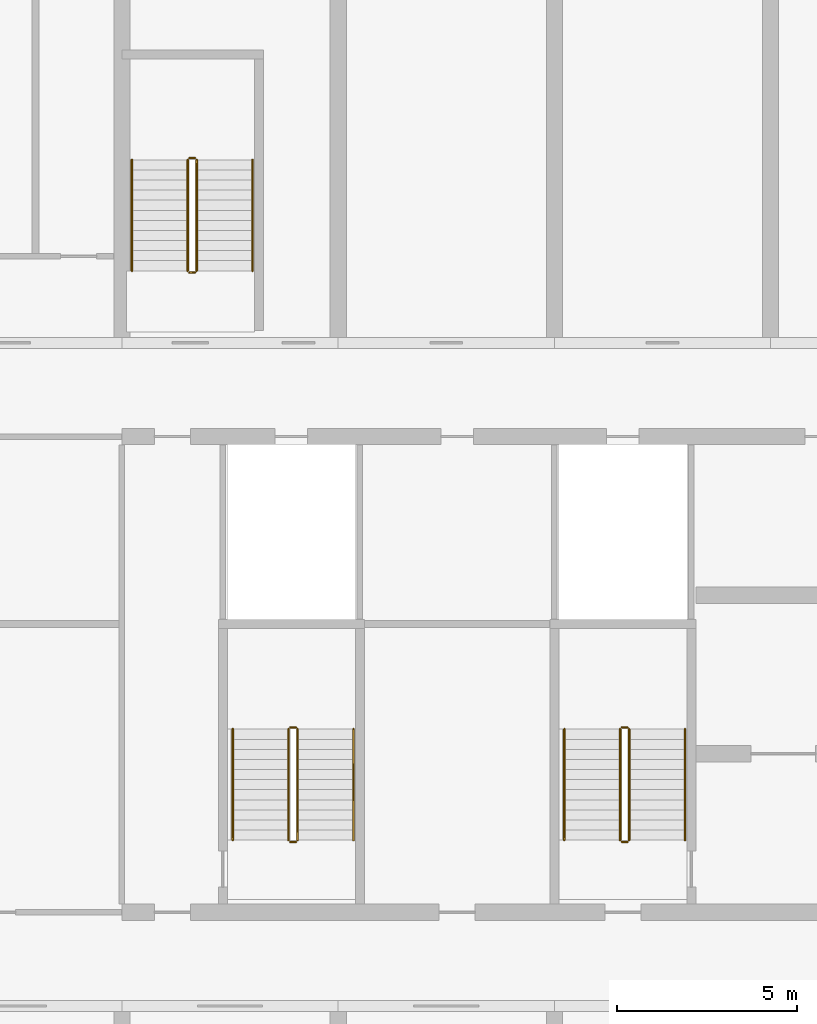
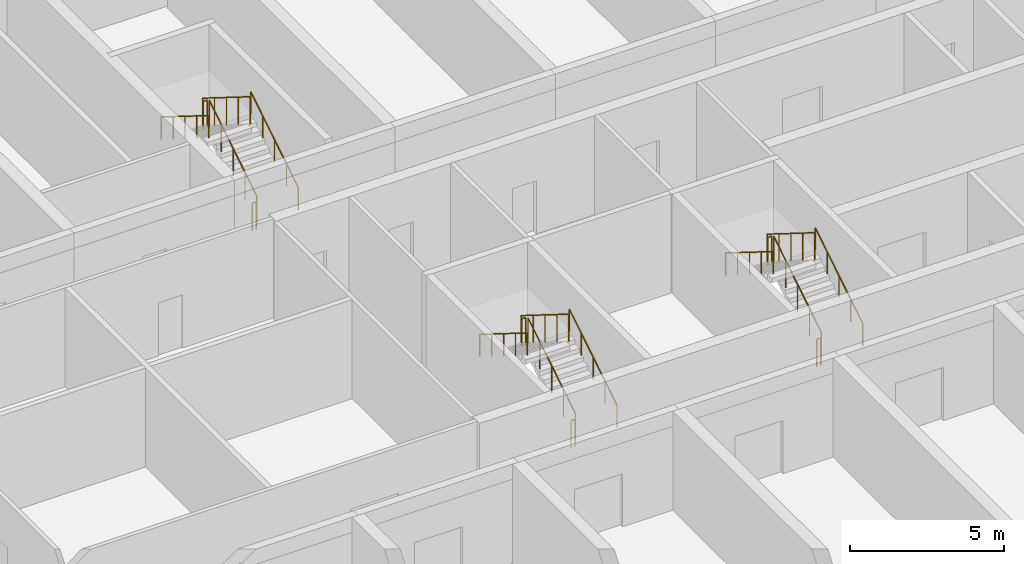
# One storey, part 13 of 15: 18 railings.
"""IFC4 building model written with IfcOpenShell, lengths in metres."""

from ifc_helpers import new_model, si_unit, direction, frame, origin, origin_2d, place, context, subcontext, project, spatial, circle, extrude, material, type_object, element, save


model = new_model("IFC4")

# Units and contexts
model_context = context("Model", 3, precision=1e-05, world=origin(), true_north=direction((0.0, 1.0)))
body_context = subcontext(model_context, "Body", "Model", "MODEL_VIEW")
ifc_project = project(units=[si_unit("LENGTHUNIT", "METRE"), si_unit("AREAUNIT", "SQUARE_METRE"), si_unit("VOLUMEUNIT", "CUBIC_METRE"), si_unit("PLANEANGLEUNIT", "RADIAN"), si_unit("MASSUNIT", "GRAM", prefix="KILO")], contexts=[model_context])

# Site, building, storey
site_placement = place(None, origin())
site = spatial("IfcSite", under=ifc_project, at=site_placement, CompositionType="ELEMENT")
building_placement = place(site_placement, origin())
building = spatial("IfcBuilding", under=site, at=building_placement, Name="Poui Terraces", CompositionType="ELEMENT")
storey_placement = place(building_placement, frame((0.0, 0.0, 10.800048828125)))
storey = spatial("IfcBuildingStorey", under=building, at=storey_placement, Name="L02", CompositionType="ELEMENT", Elevation=10.800048828125)

# Railings
ifc_material_1 = material(Name="Galvanised steel balustrade", Category="steel")
railing_type_1 = type_object("IfcRailingType", Name="STAIR GUARD 1100", PredefinedType="GUARDRAIL", material=ifc_material_1)
railing_1_placement = place(storey_placement, frame((32.074951171875, 16.60009765625, 0.175048828125)))
element("IfcRailing", 1, at=railing_1_placement, inside=storey, type_object=railing_type_1, Name="L02 ST-CW stair guard 1", PredefinedType="GUARDRAIL", context=body_context, shape_type="SweptSolid", body=[
    extrude(circle(Radius=0.02392578125, at=origin_2d()), frame((0.0, 0.0, 1.076171875), z_axis=(0.0, 0.848009633417, 0.529980812513), x_axis=(-1.0, 0.0, 0.0)), (0.0, 0.0, 1.0), 3.6318359375),
    extrude(circle(Radius=0.02099609375, at=origin_2d()), origin(), (0.0, 0.0, 1.0), 1.052001953125),
    extrude(circle(Radius=0.02099609375, at=origin_2d()), frame((0.0, 0.77001953125, 0.481201171875)), (0.0, 0.0, 1.0), 1.052001953125),
    extrude(circle(Radius=0.02099609375, at=origin_2d()), frame((0.0, 1.5400390625, 0.96240234375)), (0.0, 0.0, 1.0), 1.052001953125),
    extrude(circle(Radius=0.02099609375, at=origin_2d()), frame((0.0, 2.309814453125, 1.443603515625)), (0.0, 0.0, 1.0), 1.052001953125),
    extrude(circle(Radius=0.02099609375, at=origin_2d()), frame((0.0, 3.079833984375, 1.9248046875)), (0.0, 0.0, 1.0), 1.052001953125),
])
railing_2_placement = place(storey_placement, frame((32.02490234375, 19.72998046875, 2.099853515625)))
element("IfcRailing", 2, at=railing_2_placement, inside=storey, type_object=railing_type_1, Name="L02 ST-CW stair guard 2", PredefinedType="GUARDRAIL", context=body_context, shape_type="SweptSolid", body=[
    extrude(circle(Radius=0.02392578125, at=origin_2d()), frame((0.0, 0.0, 1.076171875), z_axis=(-1.0, 0.0, 0.0), x_axis=(0.0, -1.0, 0.0)), (0.0, 0.0, 1.0), 0.14990234375),
    extrude(circle(Radius=0.02099609375, at=origin_2d()), origin(), (0.0, 0.0, 1.0), 1.052001953125),
    extrude(circle(Radius=0.02099609375, at=origin_2d()), frame((-0.14990234375, 0.0, 0.0)), (0.0, 0.0, 1.0), 1.052001953125),
])
railing_3_placement = place(storey_placement, frame((31.824951171875, 19.679931640625, 2.27490234375)))
element("IfcRailing", 3, at=railing_3_placement, inside=storey, type_object=railing_type_1, Name="L02 ST-CW stair guard 3", PredefinedType="GUARDRAIL", context=body_context, shape_type="SweptSolid", body=[
    extrude(circle(Radius=0.02392578125, at=origin_2d()), frame((0.0, 0.0, 1.076171875), z_axis=(0.0, -0.847979421464, 0.530029150871), x_axis=(1.0, 0.0, 0.0)), (0.0, 0.0, 1.0), 3.632080078125),
    extrude(circle(Radius=0.02099609375, at=origin_2d()), origin(), (0.0, 0.0, 1.0), 1.052001953125),
    extrude(circle(Radius=0.02099609375, at=origin_2d()), frame((0.0, -0.77001953125, 0.481201171875)), (0.0, 0.0, 1.0), 1.052001953125),
    extrude(circle(Radius=0.02099609375, at=origin_2d()), frame((0.0, -1.5400390625, 0.96240234375)), (0.0, 0.0, 1.0), 1.052001953125),
    extrude(circle(Radius=0.02099609375, at=origin_2d()), frame((0.0, -2.309814453125, 1.44384765625)), (0.0, 0.0, 1.0), 1.052001953125),
    extrude(circle(Radius=0.02099609375, at=origin_2d()), frame((0.0, -3.079833984375, 1.925048828125)), (0.0, 0.0, 1.0), 1.052001953125),
])
railing_4_placement = place(storey_placement, frame((32.02490234375, 16.550048828125, 0.0)))
element("IfcRailing", 4, at=railing_4_placement, inside=storey, type_object=railing_type_1, Name="L02 ST-CW stair guard 4", PredefinedType="GUARDRAIL", context=body_context, shape_type="SweptSolid", body=[
    extrude(circle(Radius=0.02392578125, at=origin_2d()), frame((0.0, 0.0, 1.076171875), z_axis=(-1.0, 0.0, 0.0), x_axis=(0.0, -1.0, 0.0)), (0.0, 0.0, 1.0), 0.14990234375),
    extrude(circle(Radius=0.02099609375, at=origin_2d()), origin(), (0.0, 0.0, 1.0), 1.052001953125),
    extrude(circle(Radius=0.02099609375, at=origin_2d()), frame((-0.14990234375, 0.0, 0.0)), (0.0, 0.0, 1.0), 1.052001953125),
])
railing_5_placement = place(storey_placement, frame((22.875, 16.60009765625, 0.175048828125)))
element("IfcRailing", 5, at=railing_5_placement, inside=storey, type_object=railing_type_1, Name="L02 ST-W stair guard 1", PredefinedType="GUARDRAIL", context=body_context, shape_type="SweptSolid", body=[
    extrude(circle(Radius=0.02392578125, at=origin_2d()), frame((0.0, 0.0, 1.076171875), z_axis=(0.0, 0.848009633417, 0.529980812513), x_axis=(-1.0, 0.0, 0.0)), (0.0, 0.0, 1.0), 3.6318359375),
    extrude(circle(Radius=0.02099609375, at=origin_2d()), origin(), (0.0, 0.0, 1.0), 1.052001953125),
    extrude(circle(Radius=0.02099609375, at=origin_2d()), frame((0.0, 0.77001953125, 0.481201171875)), (0.0, 0.0, 1.0), 1.052001953125),
    extrude(circle(Radius=0.02099609375, at=origin_2d()), frame((0.0, 1.5400390625, 0.96240234375)), (0.0, 0.0, 1.0), 1.052001953125),
    extrude(circle(Radius=0.02099609375, at=origin_2d()), frame((0.0, 2.309814453125, 1.443603515625)), (0.0, 0.0, 1.0), 1.052001953125),
    extrude(circle(Radius=0.02099609375, at=origin_2d()), frame((0.0, 3.079833984375, 1.9248046875)), (0.0, 0.0, 1.0), 1.052001953125),
])
railing_6_placement = place(storey_placement, frame((22.824951171875, 19.72998046875, 2.099853515625)))
element("IfcRailing", 6, at=railing_6_placement, inside=storey, type_object=railing_type_1, Name="L02 ST-W stair guard 2", PredefinedType="GUARDRAIL", context=body_context, shape_type="SweptSolid", body=[
    extrude(circle(Radius=0.02392578125, at=origin_2d()), frame((0.0, 0.0, 1.076171875), z_axis=(-1.0, 0.0, 0.0), x_axis=(0.0, -1.0, 0.0)), (0.0, 0.0, 1.0), 0.14990234375),
    extrude(circle(Radius=0.02099609375, at=origin_2d()), origin(), (0.0, 0.0, 1.0), 1.052001953125),
    extrude(circle(Radius=0.02099609375, at=origin_2d()), frame((-0.14990234375, 0.0, 0.0)), (0.0, 0.0, 1.0), 1.052001953125),
])
railing_7_placement = place(storey_placement, frame((22.625, 19.679931640625, 2.27490234375)))
element("IfcRailing", 7, at=railing_7_placement, inside=storey, type_object=railing_type_1, Name="L02 ST-W stair guard 3", PredefinedType="GUARDRAIL", context=body_context, shape_type="SweptSolid", body=[
    extrude(circle(Radius=0.02392578125, at=origin_2d()), frame((0.0, 0.0, 1.076171875), z_axis=(0.0, -0.847979421464, 0.530029150871), x_axis=(1.0, 0.0, 0.0)), (0.0, 0.0, 1.0), 3.632080078125),
    extrude(circle(Radius=0.02099609375, at=origin_2d()), origin(), (0.0, 0.0, 1.0), 1.052001953125),
    extrude(circle(Radius=0.02099609375, at=origin_2d()), frame((0.0, -0.77001953125, 0.481201171875)), (0.0, 0.0, 1.0), 1.052001953125),
    extrude(circle(Radius=0.02099609375, at=origin_2d()), frame((0.0, -1.5400390625, 0.96240234375)), (0.0, 0.0, 1.0), 1.052001953125),
    extrude(circle(Radius=0.02099609375, at=origin_2d()), frame((0.0, -2.309814453125, 1.44384765625)), (0.0, 0.0, 1.0), 1.052001953125),
    extrude(circle(Radius=0.02099609375, at=origin_2d()), frame((0.0, -3.079833984375, 1.925048828125)), (0.0, 0.0, 1.0), 1.052001953125),
])
railing_8_placement = place(storey_placement, frame((22.824951171875, 16.550048828125, 0.0)))
element("IfcRailing", 8, at=railing_8_placement, inside=storey, type_object=railing_type_1, Name="L02 ST-W stair guard 4", PredefinedType="GUARDRAIL", context=body_context, shape_type="SweptSolid", body=[
    extrude(circle(Radius=0.02392578125, at=origin_2d()), frame((0.0, 0.0, 1.076171875), z_axis=(-1.0, 0.0, 0.0), x_axis=(0.0, -1.0, 0.0)), (0.0, 0.0, 1.0), 0.14990234375),
    extrude(circle(Radius=0.02099609375, at=origin_2d()), origin(), (0.0, 0.0, 1.0), 1.052001953125),
    extrude(circle(Radius=0.02099609375, at=origin_2d()), frame((-0.14990234375, 0.0, 0.0)), (0.0, 0.0, 1.0), 1.052001953125),
])
railing_9_placement = place(storey_placement, frame((20.074951171875, 32.39990234375, 0.175048828125)))
element("IfcRailing", 9, at=railing_9_placement, inside=storey, type_object=railing_type_1, Name="L02 ST-N1 stair guard 1", PredefinedType="GUARDRAIL", context=body_context, shape_type="SweptSolid", body=[
    extrude(circle(Radius=0.02392578125, at=origin_2d()), frame((0.0, 0.0, 1.076171875), z_axis=(0.0, 0.848028513186, 0.529950602248), x_axis=(-1.0, 0.0, 0.0)), (0.0, 0.0, 1.0), 3.632080078125),
    extrude(circle(Radius=0.02099609375, at=origin_2d()), origin(), (0.0, 0.0, 1.0), 1.052001953125),
    extrude(circle(Radius=0.02099609375, at=origin_2d()), frame((0.0, 0.77001953125, 0.481201171875)), (0.0, 0.0, 1.0), 1.052001953125),
    extrude(circle(Radius=0.02099609375, at=origin_2d()), frame((0.0, 1.5400390625, 0.96240234375)), (0.0, 0.0, 1.0), 1.052001953125),
    extrude(circle(Radius=0.02099609375, at=origin_2d()), frame((0.0, 2.31005859375, 1.443603515625)), (0.0, 0.0, 1.0), 1.052001953125),
    extrude(circle(Radius=0.02099609375, at=origin_2d()), frame((0.0, 3.080078125, 1.9248046875)), (0.0, 0.0, 1.0), 1.052001953125),
])
railing_10_placement = place(storey_placement, frame((20.02490234375, 35.530029296875, 2.099853515625)))
element("IfcRailing", 10, at=railing_10_placement, inside=storey, type_object=railing_type_1, Name="L02 ST-N1 stair guard 2", PredefinedType="GUARDRAIL", context=body_context, shape_type="SweptSolid", body=[
    extrude(circle(Radius=0.02392578125, at=origin_2d()), frame((0.0, 0.0, 1.076171875), z_axis=(-1.0, 0.0, 0.0), x_axis=(0.0, -1.0, 0.0)), (0.0, 0.0, 1.0), 0.14990234375),
    extrude(circle(Radius=0.02099609375, at=origin_2d()), origin(), (0.0, 0.0, 1.0), 1.052001953125),
    extrude(circle(Radius=0.02099609375, at=origin_2d()), frame((-0.14990234375, 0.0, 0.0)), (0.0, 0.0, 1.0), 1.052001953125),
])
railing_11_placement = place(storey_placement, frame((19.824951171875, 35.47998046875, 2.27490234375)))
element("IfcRailing", 11, at=railing_11_placement, inside=storey, type_object=railing_type_1, Name="L02 ST-N1 stair guard 3", PredefinedType="GUARDRAIL", context=body_context, shape_type="SweptSolid", body=[
    extrude(circle(Radius=0.02392578125, at=origin_2d()), frame((0.0, 0.0, 1.076171875), z_axis=(0.0, -0.847998304005, 0.529998940003), x_axis=(1.0, 0.0, 0.0)), (0.0, 0.0, 1.0), 3.632080078125),
    extrude(circle(Radius=0.02099609375, at=origin_2d()), origin(), (0.0, 0.0, 1.0), 1.052001953125),
    extrude(circle(Radius=0.02099609375, at=origin_2d()), frame((0.0, -0.77001953125, 0.481201171875)), (0.0, 0.0, 1.0), 1.052001953125),
    extrude(circle(Radius=0.02099609375, at=origin_2d()), frame((0.0, -1.5400390625, 0.96240234375)), (0.0, 0.0, 1.0), 1.052001953125),
    extrude(circle(Radius=0.02099609375, at=origin_2d()), frame((0.0, -2.31005859375, 1.44384765625)), (0.0, 0.0, 1.0), 1.052001953125),
    extrude(circle(Radius=0.02099609375, at=origin_2d()), frame((0.0, -3.080078125, 1.925048828125)), (0.0, 0.0, 1.0), 1.052001953125),
])
railing_12_placement = place(storey_placement, frame((20.02490234375, 32.35009765625, 0.0)))
element("IfcRailing", 12, at=railing_12_placement, inside=storey, type_object=railing_type_1, Name="L02 ST-N1 stair guard 4", PredefinedType="GUARDRAIL", context=body_context, shape_type="SweptSolid", body=[
    extrude(circle(Radius=0.02392578125, at=origin_2d()), frame((0.0, 0.0, 1.076171875), z_axis=(-1.0, 0.0, 0.0), x_axis=(0.0, -1.0, 0.0)), (0.0, 0.0, 1.0), 0.14990234375),
    extrude(circle(Radius=0.02099609375, at=origin_2d()), origin(), (0.0, 0.0, 1.0), 1.052001953125),
    extrude(circle(Radius=0.02099609375, at=origin_2d()), frame((-0.14990234375, 0.0, 0.0)), (0.0, 0.0, 1.0), 1.052001953125),
])
ifc_material_2 = material(Name="Stainless steel handrail", Category="steel")
railing_type_2 = type_object("IfcRailingType", Name="STAIR HANDRAIL 900", PredefinedType="HANDRAIL", material=ifc_material_2)
railing_13_placement = place(storey_placement, frame((33.625, 16.60009765625, 0.175048828125)))
element("IfcRailing", 13, at=railing_13_placement, inside=storey, type_object=railing_type_2, Name="L02 ST-CW stair handrail 1", PredefinedType="HANDRAIL", context=body_context, shape_type="SweptSolid", body=[
    extrude(circle(Radius=0.02392578125, at=origin_2d()), frame((0.0, 0.0, 0.8759765625), z_axis=(0.0, 0.848009633417, 0.529980812513), x_axis=(-1.0, 0.0, 0.0)), (0.0, 0.0, 1.0), 3.6318359375),
    extrude(circle(Radius=0.02099609375, at=origin_2d()), origin(), (0.0, 0.0, 1.0), 0.851806640625),
    extrude(circle(Radius=0.02099609375, at=origin_2d()), frame((0.0, 0.77001953125, 0.481201171875)), (0.0, 0.0, 1.0), 0.851806640625),
    extrude(circle(Radius=0.02099609375, at=origin_2d()), frame((0.0, 1.5400390625, 0.96240234375)), (0.0, 0.0, 1.0), 0.851806640625),
    extrude(circle(Radius=0.02099609375, at=origin_2d()), frame((0.0, 2.309814453125, 1.443603515625)), (0.0, 0.0, 1.0), 0.851806640625),
    extrude(circle(Radius=0.02099609375, at=origin_2d()), frame((0.0, 3.079833984375, 1.9248046875)), (0.0, 0.0, 1.0), 0.851806640625),
])
railing_14_placement = place(storey_placement, frame((30.27490234375, 19.679931640625, 2.27490234375)))
element("IfcRailing", 14, at=railing_14_placement, inside=storey, type_object=railing_type_2, Name="L02 ST-CW stair handrail 2", PredefinedType="HANDRAIL", context=body_context, shape_type="SweptSolid", body=[
    extrude(circle(Radius=0.02392578125, at=origin_2d()), frame((0.0, 0.0, 0.8759765625), z_axis=(0.0, -0.847979421464, 0.530029150871), x_axis=(1.0, 0.0, 0.0)), (0.0, 0.0, 1.0), 3.632080078125),
    extrude(circle(Radius=0.02099609375, at=origin_2d()), origin(), (0.0, 0.0, 1.0), 0.851806640625),
    extrude(circle(Radius=0.02099609375, at=origin_2d()), frame((0.0, -0.77001953125, 0.481201171875)), (0.0, 0.0, 1.0), 0.851806640625),
    extrude(circle(Radius=0.02099609375, at=origin_2d()), frame((0.0, -1.5400390625, 0.96240234375)), (0.0, 0.0, 1.0), 0.851806640625),
    extrude(circle(Radius=0.02099609375, at=origin_2d()), frame((0.0, -2.309814453125, 1.44384765625)), (0.0, 0.0, 1.0), 0.851806640625),
    extrude(circle(Radius=0.02099609375, at=origin_2d()), frame((0.0, -3.079833984375, 1.925048828125)), (0.0, 0.0, 1.0), 0.851806640625),
])
railing_15_placement = place(storey_placement, frame((24.425048828125, 16.60009765625, 0.175048828125)))
element("IfcRailing", 15, at=railing_15_placement, inside=storey, type_object=railing_type_2, Name="L02 ST-W stair handrail 1", PredefinedType="HANDRAIL", context=body_context, shape_type="SweptSolid", body=[
    extrude(circle(Radius=0.02392578125, at=origin_2d()), frame((0.0, 0.0, 0.8759765625), z_axis=(0.0, 0.848009633417, 0.529980812513), x_axis=(-1.0, 0.0, 0.0)), (0.0, 0.0, 1.0), 3.6318359375),
    extrude(circle(Radius=0.02099609375, at=origin_2d()), origin(), (0.0, 0.0, 1.0), 0.851806640625),
    extrude(circle(Radius=0.02099609375, at=origin_2d()), frame((0.0, 0.77001953125, 0.481201171875)), (0.0, 0.0, 1.0), 0.851806640625),
    extrude(circle(Radius=0.02099609375, at=origin_2d()), frame((0.0, 1.5400390625, 0.96240234375)), (0.0, 0.0, 1.0), 0.851806640625),
    extrude(circle(Radius=0.02099609375, at=origin_2d()), frame((0.0, 2.309814453125, 1.443603515625)), (0.0, 0.0, 1.0), 0.851806640625),
    extrude(circle(Radius=0.02099609375, at=origin_2d()), frame((0.0, 3.079833984375, 1.9248046875)), (0.0, 0.0, 1.0), 0.851806640625),
])
railing_16_placement = place(storey_placement, frame((21.074951171875, 19.679931640625, 2.27490234375)))
element("IfcRailing", 16, at=railing_16_placement, inside=storey, type_object=railing_type_2, Name="L02 ST-W stair handrail 2", PredefinedType="HANDRAIL", context=body_context, shape_type="SweptSolid", body=[
    extrude(circle(Radius=0.02392578125, at=origin_2d()), frame((0.0, 0.0, 0.8759765625), z_axis=(0.0, -0.847979421464, 0.530029150871), x_axis=(1.0, 0.0, 0.0)), (0.0, 0.0, 1.0), 3.632080078125),
    extrude(circle(Radius=0.02099609375, at=origin_2d()), origin(), (0.0, 0.0, 1.0), 0.851806640625),
    extrude(circle(Radius=0.02099609375, at=origin_2d()), frame((0.0, -0.77001953125, 0.481201171875)), (0.0, 0.0, 1.0), 0.851806640625),
    extrude(circle(Radius=0.02099609375, at=origin_2d()), frame((0.0, -1.5400390625, 0.96240234375)), (0.0, 0.0, 1.0), 0.851806640625),
    extrude(circle(Radius=0.02099609375, at=origin_2d()), frame((0.0, -2.309814453125, 1.44384765625)), (0.0, 0.0, 1.0), 0.851806640625),
    extrude(circle(Radius=0.02099609375, at=origin_2d()), frame((0.0, -3.079833984375, 1.925048828125)), (0.0, 0.0, 1.0), 0.851806640625),
])
railing_17_placement = place(storey_placement, frame((21.625, 32.39990234375, 0.175048828125)))
element("IfcRailing", 17, at=railing_17_placement, inside=storey, type_object=railing_type_2, Name="L02 ST-N1 stair handrail 1", PredefinedType="HANDRAIL", context=body_context, shape_type="SweptSolid", body=[
    extrude(circle(Radius=0.02392578125, at=origin_2d()), frame((0.0, 0.0, 0.8759765625), z_axis=(0.0, 0.848028513186, 0.529950602248), x_axis=(-1.0, 0.0, 0.0)), (0.0, 0.0, 1.0), 3.632080078125),
    extrude(circle(Radius=0.02099609375, at=origin_2d()), origin(), (0.0, 0.0, 1.0), 0.851806640625),
    extrude(circle(Radius=0.02099609375, at=origin_2d()), frame((0.0, 0.77001953125, 0.481201171875)), (0.0, 0.0, 1.0), 0.851806640625),
    extrude(circle(Radius=0.02099609375, at=origin_2d()), frame((0.0, 1.5400390625, 0.96240234375)), (0.0, 0.0, 1.0), 0.851806640625),
    extrude(circle(Radius=0.02099609375, at=origin_2d()), frame((0.0, 2.31005859375, 1.443603515625)), (0.0, 0.0, 1.0), 0.851806640625),
    extrude(circle(Radius=0.02099609375, at=origin_2d()), frame((0.0, 3.080078125, 1.9248046875)), (0.0, 0.0, 1.0), 0.851806640625),
])
railing_18_placement = place(storey_placement, frame((18.27490234375, 35.47998046875, 2.27490234375)))
element("IfcRailing", 18, at=railing_18_placement, inside=storey, type_object=railing_type_2, Name="L02 ST-N1 stair handrail 2", PredefinedType="HANDRAIL", context=body_context, shape_type="SweptSolid", body=[
    extrude(circle(Radius=0.02392578125, at=origin_2d()), frame((0.0, 0.0, 0.8759765625), z_axis=(0.0, -0.847998304005, 0.529998940003), x_axis=(1.0, 0.0, 0.0)), (0.0, 0.0, 1.0), 3.632080078125),
    extrude(circle(Radius=0.02099609375, at=origin_2d()), origin(), (0.0, 0.0, 1.0), 0.851806640625),
    extrude(circle(Radius=0.02099609375, at=origin_2d()), frame((0.0, -0.77001953125, 0.481201171875)), (0.0, 0.0, 1.0), 0.851806640625),
    extrude(circle(Radius=0.02099609375, at=origin_2d()), frame((0.0, -1.5400390625, 0.96240234375)), (0.0, 0.0, 1.0), 0.851806640625),
    extrude(circle(Radius=0.02099609375, at=origin_2d()), frame((0.0, -2.31005859375, 1.44384765625)), (0.0, 0.0, 1.0), 0.851806640625),
    extrude(circle(Radius=0.02099609375, at=origin_2d()), frame((0.0, -3.080078125, 1.925048828125)), (0.0, 0.0, 1.0), 0.851806640625),
])

save(model, "model.ifc")
